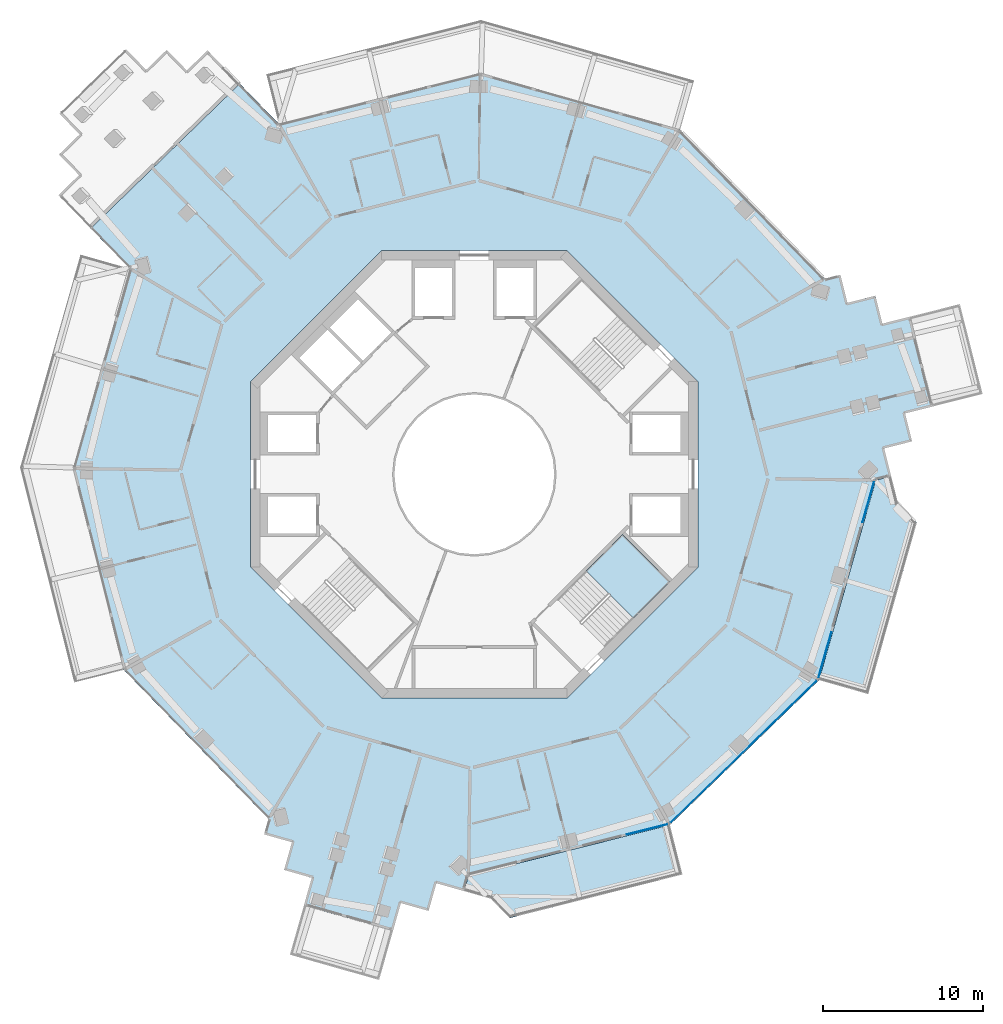
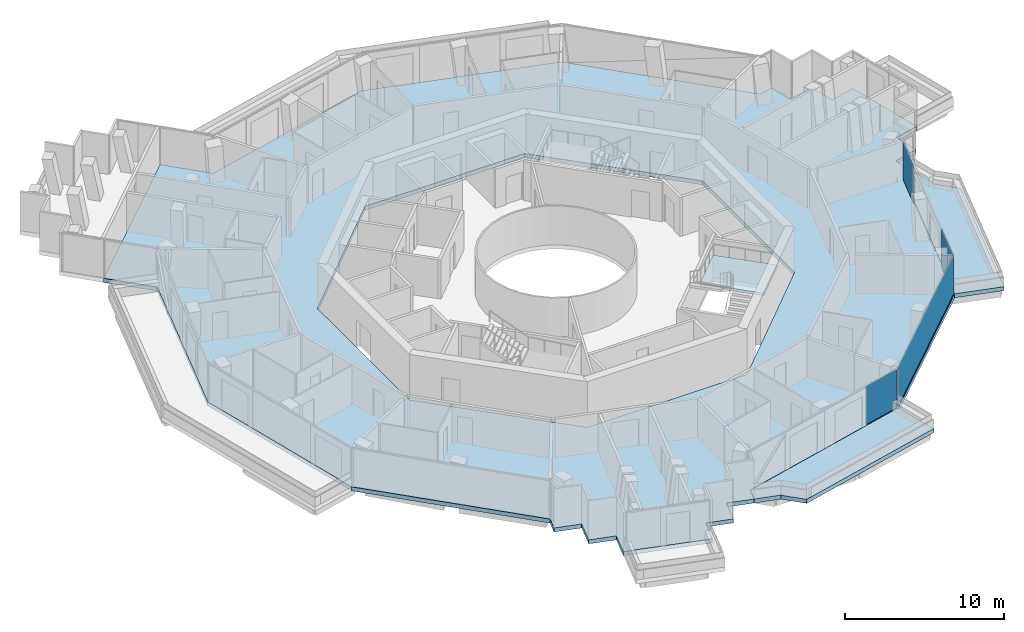
# One storey, part 13 of 24: 4 plates, 4 slabs, 4 elements without a shape of their own.
"""IFC4 building model written with IfcOpenShell, lengths in metres."""

import ifcopenshell
import ifcopenshell.guid

model = None  # the IFC model being written
_history = None  # IfcOwnerHistory: only IFC2X3 demands one
_inside = {}  # id of a spatial element -> (the spatial element, [elements in it])
_under = {}  # id of a project, library or spatial element -> (it, [spatial elements below it])
_declared = {}  # id of a project -> (the project, [libraries it declares])
_typed = {}  # id of a type object -> (the type object, [elements of that type])
_made_of = {}  # id of a material, layer set ... -> (it, [elements and type objects made of it])


def new_model(schema):
    """Start an empty IFC model of exactly this schema.

    Asked for "IFC4X3", IfcOpenShell would pick the latest addendum, in which some entities
    have other attributes; the version numbers below select the first issue.
    IFC2X3 requires an IfcOwnerHistory on every rooted entity: one is made here for all.
    """
    global model, _history
    if schema == "IFC4X3":
        model = ifcopenshell.file(schema_version=(4, 3, 0, 0))
    else:
        model = ifcopenshell.file(schema=schema)
    _inside.clear()
    _under.clear()
    _declared.clear()
    _typed.clear()
    _made_of.clear()
    _history = None
    if model.schema == "IFC2X3":
        org = make("IfcOrganization", Name="unknown")
        user = make(
            "IfcPersonAndOrganization",
            ThePerson=make("IfcPerson", FamilyName="unknown"),
            TheOrganization=org,
        )
        app = make(
            "IfcApplication",
            ApplicationDeveloper=org,
            Version="unknown",
            ApplicationFullName="unknown",
            ApplicationIdentifier="unknown",
        )
        _history = make(
            "IfcOwnerHistory",
            OwningUser=user,
            OwningApplication=app,
            ChangeAction="ADDED",
            CreationDate=0,
        )
    return model


def make(cls, **values):
    """One entity of the class cls with the attributes given. An attribute that is None is left unset."""
    return model.create_entity(
        cls, **{name: value for name, value in values.items() if value is not None}
    )


def rooted(cls, **values):
    """An entity with a GlobalId (a new one), such as an element, a storey or a relation."""
    return make(cls, GlobalId=ifcopenshell.guid.new(), OwnerHistory=_history, **values)


def si_unit(unit_type, name, prefix=None):
    """IfcSIUnit, for example si_unit("LENGTHUNIT", "METRE", prefix="MILLI")."""
    return make("IfcSIUnit", UnitType=unit_type, Prefix=prefix, Name=name)


def assignment(units):
    """IfcUnitAssignment: the units of a project."""
    return None if units is None else make("IfcUnitAssignment", Units=units)


def point(xyz):
    """IfcCartesianPoint."""
    return None if xyz is None else make("IfcCartesianPoint", Coordinates=xyz)


def direction(xyz):
    """IfcDirection."""
    return None if xyz is None else make("IfcDirection", DirectionRatios=xyz)


def frame(location, z_axis=None, x_axis=None):
    """IfcAxis2Placement3D, a coordinate frame: its origin and axes. An axis left out is left unset."""
    return make(
        "IfcAxis2Placement3D",
        Location=point(location),
        Axis=direction(z_axis),
        RefDirection=direction(x_axis),
    )


def frame_2d(location, x_axis=None):
    """IfcAxis2Placement2D, a coordinate frame in the plane: its origin and x axis."""
    return make(
        "IfcAxis2Placement2D", Location=point(location), RefDirection=direction(x_axis)
    )


def origin():
    """The frame at (0, 0, 0) with its axes left unset."""
    return frame((0.0, 0.0, 0.0))


def origin_2d():
    """The frame at (0, 0) in the plane with its x axis left unset."""
    return frame_2d((0.0, 0.0))


def place(relative_to, where):
    """IfcLocalPlacement: puts the frame where relative to a parent placement (None: the world)."""
    return make(
        "IfcLocalPlacement", PlacementRelTo=relative_to, RelativePlacement=where
    )


def context(
    kind, dimensions, precision=None, world=None, true_north=None, identifier=None
):
    """IfcGeometricRepresentationContext, for example the 3D "Model" context."""
    return make(
        "IfcGeometricRepresentationContext",
        ContextIdentifier=identifier,
        ContextType=kind,
        CoordinateSpaceDimension=dimensions,
        Precision=precision,
        WorldCoordinateSystem=world,
        TrueNorth=true_north,
    )


def subcontext(parent, identifier, kind, view, scale=None):
    """IfcGeometricRepresentationSubContext, for example "Body" below "Model"."""
    return make(
        "IfcGeometricRepresentationSubContext",
        ContextIdentifier=identifier,
        ContextType=kind,
        ParentContext=parent,
        TargetScale=scale,
        TargetView=view,
    )


def project(units=None, contexts=None):
    """IfcProject with its units and contexts."""
    return rooted(
        "IfcProject",
        Name="project",
        RepresentationContexts=contexts,
        UnitsInContext=assignment(units),
    )


def spatial(cls, under=None, at=None, **own):
    """A site, building, storey or space (cls), placed at a placement, below another one or the project."""
    s = rooted(cls, ObjectPlacement=at, **own)
    if under is not None:
        _under.setdefault(under.id(), (under, []))[1].append(s)
    return s


def polyline(points):
    """IfcPolyline through the points."""
    return make("IfcPolyline", Points=[point(p) for p in points])


def profile(cls, at=None, kind="AREA", **sizes):
    """A parametric profile (cls). Its sizes go by their IFC names, for example OverallWidth=200.0."""
    return make(cls, ProfileType=kind, Position=at, **sizes)


def rectangle(**sizes):
    """IfcRectangleProfileDef."""
    return profile("IfcRectangleProfileDef", **sizes)


def outline(outer, holes=None, kind="AREA"):
    """IfcArbitraryClosedProfileDef: a profile drawn as a closed curve; with holes, ...WithVoids."""
    if holes is None:
        return make("IfcArbitraryClosedProfileDef", ProfileType=kind, OuterCurve=outer)
    return make(
        "IfcArbitraryProfileDefWithVoids",
        ProfileType=kind,
        OuterCurve=outer,
        InnerCurves=holes,
    )


def extrude(swept, where, along, depth):
    """IfcExtrudedAreaSolid: the profile swept, set in the frame where, extruded along a direction by depth."""
    return make(
        "IfcExtrudedAreaSolid",
        SweptArea=swept,
        Position=where,
        ExtrudedDirection=direction(along),
        Depth=depth,
    )


def shape(context_of_items, identifier, shape_type, items):
    """IfcShapeRepresentation: the items that make up one representation, for example the "Body"."""
    return make(
        "IfcShapeRepresentation",
        ContextOfItems=context_of_items,
        RepresentationIdentifier=identifier,
        RepresentationType=shape_type,
        Items=items,
    )


def material(Name=None, Category=None):
    """IfcMaterial."""
    return make("IfcMaterial", Name=Name, Category=Category)


def layer(
    of_material, thickness, ventilated=None, Name=None, Category=None, Priority=None
):
    """IfcMaterialLayer: one layer of a wall or slab, of a material (None: an air gap)."""
    return make(
        "IfcMaterialLayer",
        Material=of_material,
        LayerThickness=thickness,
        IsVentilated=ventilated,
        Name=Name,
        Category=Category,
        Priority=Priority,
    )


def layer_set(layers, Name=None):
    """IfcMaterialLayerSet."""
    return make("IfcMaterialLayerSet", MaterialLayers=layers, LayerSetName=Name)


def made_of(thing, what):
    """Note that an element or type object is made of a material, layer set ...; save() writes the relation."""
    if what is not None:
        _made_of.setdefault(what.id(), (what, []))[1].append(thing)
    return thing


def type_object(cls, material=None, **own):
    """A type object (cls), such as IfcWallType, which elements share."""
    return made_of(rooted(cls, **own), material)


def element(
    cls,
    number,
    at=None,
    inside=None,
    cuts=None,
    type_object=None,
    material=None,
    context=None,
    identifier="Body",
    shape_type=None,
    held_by="IfcProductDefinitionShape",
    body=None,
    shapes=None,
    **own,
):
    """One element of the class cls, such as IfcWall. Its Tag is "e" and its number.

    at: its placement. inside: the storey or other place that contains it. cuts: it is an
    opening in that element (IfcRelVoidsElement). A single representation is given by context,
    identifier, shape_type and body (its items); several are given by shapes. held_by: the class
    of the entity that holds the representations. save() writes the other relations.
    """
    e = rooted(cls, Tag="e%d" % number, ObjectPlacement=at, **own)
    if body is not None:
        shapes = [shape(context, identifier, shape_type, body)]
    if shapes is not None:
        e.Representation = make(held_by, Representations=shapes)
    if inside is not None:
        _inside.setdefault(inside.id(), (inside, []))[1].append(e)
    if cuts is not None:
        rooted(
            "IfcRelVoidsElement", RelatingBuildingElement=cuts, RelatedOpeningElement=e
        )
    if type_object is not None:
        _typed.setdefault(type_object.id(), (type_object, []))[1].append(e)
    return made_of(e, material)


def aggregate(whole, parts):
    """IfcRelAggregates: a whole, such as a stair, and the parts it consists of."""
    return rooted("IfcRelAggregates", RelatingObject=whole, RelatedObjects=parts)


def save(model, path):
    """Write the relations noted so far, then the file.

    IfcRelAggregates (storeys below a building ...), IfcRelContainedInSpatialStructure (elements
    in a storey), IfcRelDefinesByType, IfcRelAssociatesMaterial and IfcRelDeclares: one each for
    every whole, place, type object, material and project.
    """
    for whole, parts in _under.values():
        aggregate(whole, parts)
    for where, things in _inside.values():
        rooted(
            "IfcRelContainedInSpatialStructure",
            RelatedElements=things,
            RelatingStructure=where,
        )
    for kind, things in _typed.values():
        rooted("IfcRelDefinesByType", RelatedObjects=things, RelatingType=kind)
    for what, things in _made_of.values():
        rooted("IfcRelAssociatesMaterial", RelatedObjects=things, RelatingMaterial=what)
    for by, libraries in _declared.values():
        rooted("IfcRelDeclares", RelatingContext=by, RelatedDefinitions=libraries)
    model.write(path)


model = new_model("IFC4")

# Units and contexts
model_context = context("Model", 3, precision=1e-05, world=origin(), true_north=direction((0.0, 1.0)))
body_context = subcontext(model_context, "Body", "Model", "MODEL_VIEW")
ifc_project = project(units=[si_unit("LENGTHUNIT", "METRE"), si_unit("AREAUNIT", "SQUARE_METRE"), si_unit("VOLUMEUNIT", "CUBIC_METRE"), si_unit("PLANEANGLEUNIT", "RADIAN"), si_unit("MASSUNIT", "GRAM", prefix="KILO")], contexts=[model_context])

# Site, building, storey
site_placement = place(None, origin())
site = spatial("IfcSite", under=ifc_project, at=site_placement, CompositionType="ELEMENT")
building_placement = place(site_placement, origin())
building = spatial("IfcBuilding", under=site, at=building_placement, Name="Verdalira Terraces Hotel", CompositionType="ELEMENT")
storey_placement = place(building_placement, frame((0.0, 0.0, 212.5)))
storey = spatial("IfcBuildingStorey", under=building, at=storey_placement, Name="L52", CompositionType="ELEMENT", Elevation=212.5)

# Slabs
ifc_material_1 = material(Name="Precast concrete C40/50", Category="concrete")
ifc_layer_1 = layer(ifc_material_1, 0.31005859375)
ifc_layer_set_1 = layer_set([ifc_layer_1], Name="Balcony deck 310")
slab_type_1 = type_object("IfcSlabType", Name="Balcony deck 310", PredefinedType="FLOOR", material=ifc_layer_set_1)
slab_1_placement = place(storey_placement, frame((0.0, 0.0, -0.310059)))
element("IfcSlab", 1, at=slab_1_placement, inside=storey, type_object=slab_type_1, Name="Balcony deck", PredefinedType="FLOOR", context=body_context, shape_type="SweptSolid", body=[
    extrude(outline(polyline([(13.019531, -25.033936), (12.236816, -21.931152), (-0.368164, -25.111328), (-0.641113, -26.073486), (1.025146, -26.546143), (2.206055, -27.762207), (13.019531, -25.033936)])), origin(), (0.0, 0.0, 1.0), 0.310059),
])
slab_2_placement = place(storey_placement, frame((0.0, 0.0, -0.310059)))
element("IfcSlab", 2, at=slab_2_placement, inside=storey, type_object=slab_type_1, Name="Balcony deck", PredefinedType="FLOOR", context=body_context, shape_type="SweptSolid", body=[
    extrude(outline(polyline([(26.504639, -1.802979), (26.081055, -0.123535), (25.111328, -0.368164), (21.562988, -12.874512), (24.641602, -13.748047), (27.685547, -3.019043), (26.504639, -1.802979)])), origin(), (0.0, 0.0, 1.0), 0.310059),
])

# Curtain wall, plate
ifc_material_2 = material(Name="Clear glass", Category="glass")
ifc_layer_2 = layer(ifc_material_2, 0.14990234375)
ifc_layer_set_2 = layer_set([ifc_layer_2], Name="CW1 curtain wall")
curtain_wall_type = type_object("IfcCurtainWallType", Name="CW1 curtain wall", PredefinedType="NOTDEFINED", material=ifc_layer_set_2)
curtain_wall_1_placement = place(storey_placement, origin())
curtain_wall_1 = element("IfcCurtainWall", 3, at=curtain_wall_1_placement, inside=storey, type_object=curtain_wall_type, Name="CW1 curtain wall L52 edge 25", PredefinedType="NOTDEFINED")
ifc_material_3 = material(Name="Clear glass", Category="glass")
ifc_layer_3 = layer(ifc_material_3, 0.028076171875)
ifc_layer_set_3 = layer_set([ifc_layer_3], Name="CW1 glass unit 28")
plate_type = type_object("IfcPlateType", Name="CW1 glass unit 28", PredefinedType="CURTAIN_PANEL", material=ifc_layer_set_3)
plate_1_placement = place(storey_placement, frame((10.831787, -22.208252, 0.0), z_axis=(0.0, 0.0, 1.0), x_axis=(0.96961637, 0.244630526, 0.0)))
plate_1 = element("IfcPlate", 4, at=plate_1_placement, type_object=plate_type, Name="CW1 glass unit", PredefinedType="CURTAIN_PANEL", context=body_context, shape_type="SweptSolid", body=[
    extrude(rectangle(XDim=2.660156, YDim=0.028076, at=origin_2d()), origin(), (0.0, 0.0, 1.0), 2.935059),
])
aggregate(curtain_wall_1, [plate_1])

curtain_wall_2_placement = place(storey_placement, origin())
curtain_wall_2 = element("IfcCurtainWall", 5, at=curtain_wall_2_placement, inside=storey, type_object=curtain_wall_type, Name="CW1 curtain wall L52 edge 26", PredefinedType="NOTDEFINED")
plate_2_placement = place(storey_placement, frame((16.847656, -17.349121, 0.0), z_axis=(0.0, 0.0, 1.0), x_axis=(0.717397146, 0.696664435, 0.0)))
plate_2 = element("IfcPlate", 6, at=plate_2_placement, type_object=plate_type, Name="CW1 glass unit", PredefinedType="CURTAIN_PANEL", context=body_context, shape_type="SweptSolid", body=[
    extrude(rectangle(XDim=12.799561, YDim=0.028076, at=origin_2d()), origin(), (0.0, 0.0, 1.0), 2.935059),
])
aggregate(curtain_wall_2, [plate_2])

# Curtain wall, plates
curtain_wall_3_placement = place(storey_placement, origin())
curtain_wall_3 = element("IfcCurtainWall", 7, at=curtain_wall_3_placement, inside=storey, type_object=curtain_wall_type, Name="CW1 curtain wall L52 edge 27", PredefinedType="NOTDEFINED")
plate_3_placement = place(storey_placement, frame((21.92749, -11.314697, 0.0), z_axis=(0.0, 0.0, 1.0), x_axis=(0.272951936, 0.962027672, 0.0)))
plate_3 = element("IfcPlate", 8, at=plate_3_placement, type_object=plate_type, Name="CW1 glass unit", PredefinedType="CURTAIN_PANEL", context=body_context, shape_type="SweptSolid", body=[
    extrude(rectangle(XDim=2.999756, YDim=0.028076, at=origin_2d()), origin(), (0.0, 0.0, 1.0), 2.935059),
])
plate_4_placement = place(storey_placement, frame((24.654297, -1.704346, 0.0), z_axis=(0.0, 0.0, 1.0), x_axis=(0.272951936, 0.962027672, 0.0)))
plate_4 = element("IfcPlate", 9, at=plate_4_placement, type_object=plate_type, Name="CW1 glass unit", PredefinedType="CURTAIN_PANEL", context=body_context, shape_type="SweptSolid", body=[
    extrude(rectangle(XDim=2.700195, YDim=0.028076, at=origin_2d()), origin(), (0.0, 0.0, 1.0), 2.935059),
])
aggregate(curtain_wall_3, [plate_3, plate_4])

# Stair, slab
ifc_material_4 = material(Name="Concrete C40", Category="concrete")
stair_type = type_object("IfcStairType", Name="Core stair 20 risers 2050 mm wide", PredefinedType="HALF_TURN_STAIR", material=ifc_material_4)
stair_placement = place(storey_placement, origin())
stair = element("IfcStair", 10, at=stair_placement, inside=storey, type_object=stair_type, Name="L52 Exit stair ST3", PredefinedType="HALF_TURN_STAIR")
ifc_material_5 = material(Name="Concrete C40", Category="concrete")
ifc_layer_4 = layer(ifc_material_5, 0.199951171875)
ifc_layer_set_4 = layer_set([ifc_layer_4], Name="Core stair landing 200 mm")
slab_type_2 = type_object("IfcSlabType", Name="Core stair landing 200 mm", PredefinedType="LANDING", material=ifc_layer_set_4)
slab_3_placement = place(storey_placement, frame((0.0, 0.0, 1.550049)))
slab_3 = element("IfcSlab", 11, at=slab_3_placement, type_object=slab_type_2, Name="ST3 landing 1", PredefinedType="LANDING", context=body_context, shape_type="SweptSolid", body=[
    extrude(outline(polyline([(9.94873, -9.001709), (12.23291, -6.717529), (9.263184, -3.747559), (6.97876, -6.031982), (9.94873, -9.001709)])), origin(), (0.0, 0.0, 1.0), 0.199951),
])
aggregate(stair, [slab_3])

# Slab
ifc_material_6 = material(Name="Concrete C40", Category="concrete")
ifc_layer_5 = layer(ifc_material_6, 0.31005859375)
ifc_layer_set_5 = layer_set([ifc_layer_5], Name="Floor slab 310 C40")
slab_type_3 = type_object("IfcSlabType", Name="Floor slab 310 C40", PredefinedType="FLOOR", material=ifc_layer_set_5)
slab_4_placement = place(storey_placement, frame((0.0, 0.0, -0.310059)))
element("IfcSlab", 12, at=slab_4_placement, inside=storey, type_object=slab_type_3, Name="Floor slab L52", PredefinedType="FLOOR", context=body_context, shape_type="SweptSolid", body=[
    extrude(outline(polyline([(0.368164, 25.111328), (-12.236816, 21.931152), (-14.675293, 24.442139), (-24.001465, 15.385498), (-21.562988, 12.874512), (-25.111328, 0.368164), (-21.931152, -12.236816), (-12.874512, -21.562988), (-13.147461, -22.524902), (-11.415771, -23.016357), (-11.907227, -24.748047), (-10.175537, -25.239258), (-10.666748, -26.970947), (-5.087158, -28.554199), (-4.595703, -26.82251), (-2.864014, -27.313721), (-2.372803, -25.582031), (-0.641113, -26.073486), (-0.368164, -25.111328), (12.236816, -21.931152), (21.562988, -12.874512), (25.111328, -0.368164), (26.081055, -0.123535), (25.640625, 1.621826), (27.385986, 2.062012), (26.945557, 3.807373), (28.690918, 4.247803), (27.272217, 9.871582), (25.526855, 9.431152), (25.086426, 11.176514), (23.341064, 10.736084), (22.900879, 12.481445), (21.931152, 12.236816), (12.874512, 21.562988), (0.368164, 25.111328)]), holes=[polyline([(5.799072, 14.0), (14.0, 5.799072), (14.0, -5.799072), (5.799072, -14.0), (-5.799072, -14.0), (-14.0, -5.799072), (-14.0, 5.799072), (-5.799072, 14.0), (5.799072, 14.0)])]), origin(), (0.0, 0.0, 1.0), 0.310059),
])

save(model, "model.ifc")
